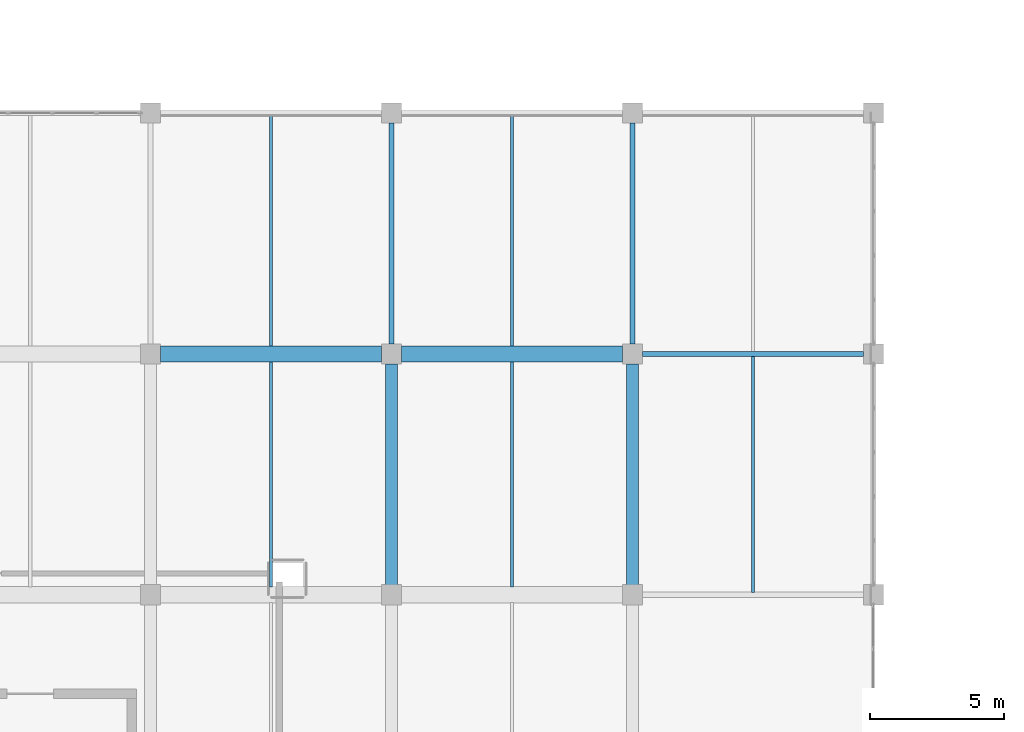
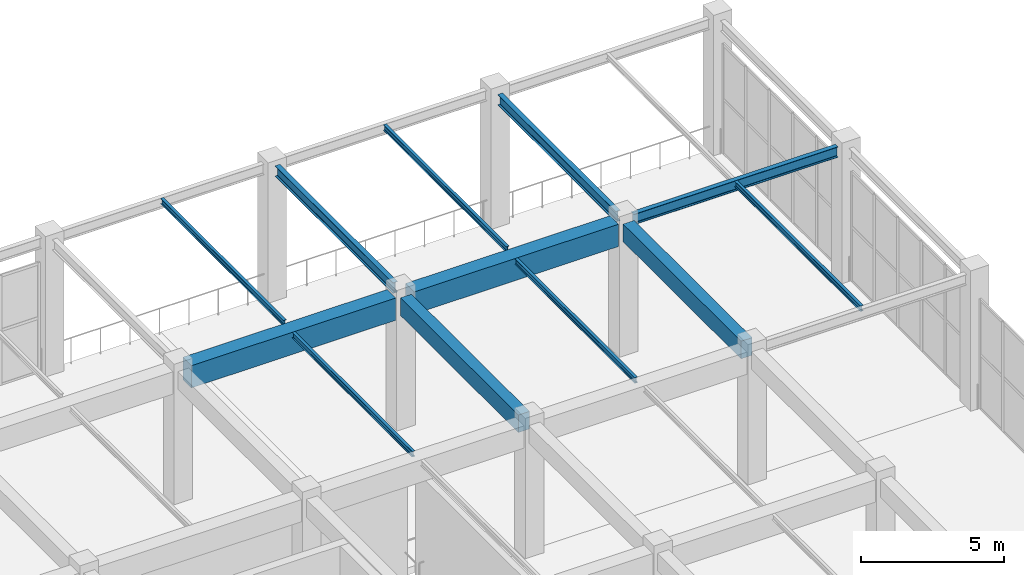
# One storey, part 164 of 223: 12 beams.
"""IFC4 building model written with IfcOpenShell, lengths in metres."""

from ifc_helpers import new_model, si_unit, direction, frame, origin, origin_2d, place, context, subcontext, project, spatial, rectangle, i_section, extrude, material, material_profile, profile_set, type_object, element, save


model = new_model("IFC4")

# Units and contexts
model_context = context("Model", 3, precision=1e-05, world=origin(), true_north=direction((0.0, 1.0)))
body_context = subcontext(model_context, "Body", "Model", "MODEL_VIEW")
ifc_project = project(units=[si_unit("LENGTHUNIT", "METRE"), si_unit("AREAUNIT", "SQUARE_METRE"), si_unit("VOLUMEUNIT", "CUBIC_METRE"), si_unit("PLANEANGLEUNIT", "RADIAN"), si_unit("MASSUNIT", "GRAM", prefix="KILO")], contexts=[model_context])

# Site, building, storey
site_placement = place(None, origin())
site = spatial("IfcSite", under=ifc_project, at=site_placement, CompositionType="ELEMENT")
building_placement = place(site_placement, origin())
building = spatial("IfcBuilding", under=site, at=building_placement, Name="Dornveld Trade and Exhibition Forum", CompositionType="ELEMENT")
storey_placement = place(building_placement, frame((0.0, 0.0, 6.0)))
storey = spatial("IfcBuildingStorey", under=building, at=storey_placement, Name="L01", CompositionType="ELEMENT", Elevation=6.0)

# Beams
ifc_material_1 = material(Name="Steel S355J2", Category="steel")
ifc_material_profile_1 = material_profile(ifc_material_1, i_section(OverallWidth=0.1201171875, OverallDepth=0.239990234375, WebThickness=0.006103515625, FlangeThickness=0.009765625, FilletRadius=0.014892578125, at=origin_2d()), Name="IPE 240")
ifc_profile_set_1 = profile_set([ifc_material_profile_1], Name="Steel S355J2")
beam_type_1 = type_object("IfcBeamType", Name="BM-JOIST-240", PredefinedType="JOIST", material=ifc_profile_set_1)
for number, where, z_axis, x_axis, name in (
    (1, (193.5, 126.297119140625, 5.52001953125), (0.0, 1.0, 0.0), (-1.0, 0.0, 0.0), "L01 secondary joist 1370"),
    (2, (202.5, 126.297119140625, 5.52001953125), (0.0, 1.0, 0.0), (-1.0, 0.0, 0.0), "L01 secondary joist 1373"),
):
    element("IfcBeam", number, at=place(storey_placement, frame(where, z_axis=z_axis, x_axis=x_axis)), inside=storey, type_object=beam_type_1, Name=name, PredefinedType="JOIST", context=body_context, shape_type="SweptSolid", body=[
        extrude(i_section(OverallWidth=0.1201171875, OverallDepth=0.239990234375, WebThickness=0.006103515625, FlangeThickness=0.009765625, FilletRadius=0.014892578125, at=origin_2d()), origin(), (0.0, 0.0, 1.0), 8.40576171875),
    ])
for number, where, z_axis, x_axis, name in (
    (3, (193.5, 135.297119140625, 5.659912109375), (0.0, 1.0, 0.0), (-1.0, 0.0, 0.0), "L01 secondary joist 1789"),
    (4, (202.5, 135.297119140625, 5.659912109375), (0.0, 1.0, 0.0), (-1.0, 0.0, 0.0), "L01 secondary joist 1791"),
):
    element("IfcBeam", number, at=place(storey_placement, frame(where, z_axis=z_axis, x_axis=x_axis)), inside=storey, type_object=beam_type_1, Name=name, PredefinedType="JOIST", context=body_context, shape_type="SweptSolid", body=[
        extrude(i_section(OverallWidth=0.1201171875, OverallDepth=0.239990234375, WebThickness=0.006103515625, FlangeThickness=0.009765625, FilletRadius=0.014892578125, at=origin_2d()), origin(), (0.0, 0.0, 1.0), 8.61083984375),
    ])
beam_placement = place(storey_placement, frame((211.5, 126.092041015625, 5.55810546875), z_axis=(0.0, 1.0, 0.0), x_axis=(-1.0, 0.0, 0.0)))
element("IfcBeam", 5, at=beam_placement, inside=storey, type_object=beam_type_1, Name="L01 secondary joist 1792", PredefinedType="JOIST", context=body_context, shape_type="SweptSolid", body=[
    extrude(i_section(OverallWidth=0.1201171875, OverallDepth=0.239990234375, WebThickness=0.006103515625, FlangeThickness=0.009765625, FilletRadius=0.014892578125, at=origin_2d()), origin(), (0.0, 0.0, 1.0), 8.81591796875),
])
ifc_material_2 = material(Name="Precast concrete C50/60", Category="concrete")
ifc_material_profile_2 = material_profile(ifc_material_2, rectangle(XDim=0.449951171875, YDim=0.75, at=origin_2d()), Name="PC-BM 450x750")
ifc_profile_set_2 = profile_set([ifc_material_profile_2], Name="Precast concrete C50/60")
beam_type_2 = type_object("IfcBeamType", Name="BM-PC-450x750", PredefinedType="BEAM", material=ifc_profile_set_2)
for number, where, z_axis, x_axis, name in (
    (6, (198.0, 126.37109375, 5.264892578125), (0.0, 1.0, 0.0), (-1.0, 0.0, 0.0), "L01 Y-girder 1360"),
    (7, (207.0, 126.37109375, 5.264892578125), (0.0, 1.0, 0.0), (-1.0, 0.0, 0.0), "L01 Y-girder 1363"),
):
    element("IfcBeam", number, at=place(storey_placement, frame(where, z_axis=z_axis, x_axis=x_axis)), inside=storey, type_object=beam_type_2, Name=name, PredefinedType="BEAM", context=body_context, shape_type="SweptSolid", body=[
        extrude(rectangle(XDim=0.449951171875, YDim=0.75, at=origin_2d()), origin(), (0.0, 0.0, 1.0), 8.2578125),
    ])
ifc_material_3 = material(Name="Precast concrete C50/60", Category="concrete")
ifc_material_profile_3 = material_profile(ifc_material_3, rectangle(XDim=0.60009765625, YDim=0.949951171875, at=origin_2d()), Name="PC-GIR 600x950")
ifc_profile_set_3 = profile_set([ifc_material_profile_3], Name="Precast concrete C50/60")
beam_type_3 = type_object("IfcBeamType", Name="BM-PC-600x950", PredefinedType="T_BEAM", material=ifc_profile_set_3)
for number, where, z_axis, x_axis, name in (
    (8, (189.37109375, 135.0, 5.1650390625), (1.0, 0.0, 0.0), (0.0, 1.0, 0.0), "L01 X-girder 1347"),
    (9, (198.37109375, 135.0, 5.1650390625), (1.0, 0.0, 0.0), (0.0, 1.0, 0.0), "L01 X-girder 1348"),
):
    element("IfcBeam", number, at=place(storey_placement, frame(where, z_axis=z_axis, x_axis=x_axis)), inside=storey, type_object=beam_type_3, Name=name, PredefinedType="T_BEAM", context=body_context, shape_type="SweptSolid", body=[
        extrude(rectangle(XDim=0.60009765625, YDim=0.949951171875, at=origin_2d()), origin(), (0.0, 0.0, 1.0), 8.2578125),
    ])
ifc_material_4 = material(Name="Steel S355J2", Category="steel")
ifc_material_profile_4 = material_profile(ifc_material_4, i_section(OverallWidth=0.18994140625, OverallDepth=0.449951171875, WebThickness=0.009521484375, FlangeThickness=0.0146484375, FilletRadius=0.02099609375, at=origin_2d()), Name="IPE 450")
ifc_profile_set_4 = profile_set([ifc_material_profile_4], Name="Steel S355J2")
beam_type_4 = type_object("IfcBeamType", Name="BM-SEC-450", PredefinedType="BEAM", material=ifc_profile_set_4)
for number, where, z_axis, x_axis, name in (
    (10, (207.37109375, 135.0, 5.452880859375), (1.0, 0.0, 0.0), (0.0, 1.0, 0.0), "L01 X-girder 1766"),
    (11, (198.0, 135.37109375, 5.554931640625), (0.0, 1.0, 0.0), (-1.0, 0.0, 0.0), "L01 Y-girder 1779"),
    (12, (207.0, 135.37109375, 5.452880859375), (0.0, 1.0, 0.0), (-1.0, 0.0, 0.0), "L01 Y-girder 1781"),
):
    element("IfcBeam", number, at=place(storey_placement, frame(where, z_axis=z_axis, x_axis=x_axis)), inside=storey, type_object=beam_type_4, Name=name, PredefinedType="BEAM", context=body_context, shape_type="SweptSolid", body=[
        extrude(i_section(OverallWidth=0.18994140625, OverallDepth=0.449951171875, WebThickness=0.009521484375, FlangeThickness=0.0146484375, FilletRadius=0.02099609375, at=origin_2d()), origin(), (0.0, 0.0, 1.0), 8.2578125),
    ])

save(model, "model.ifc")
